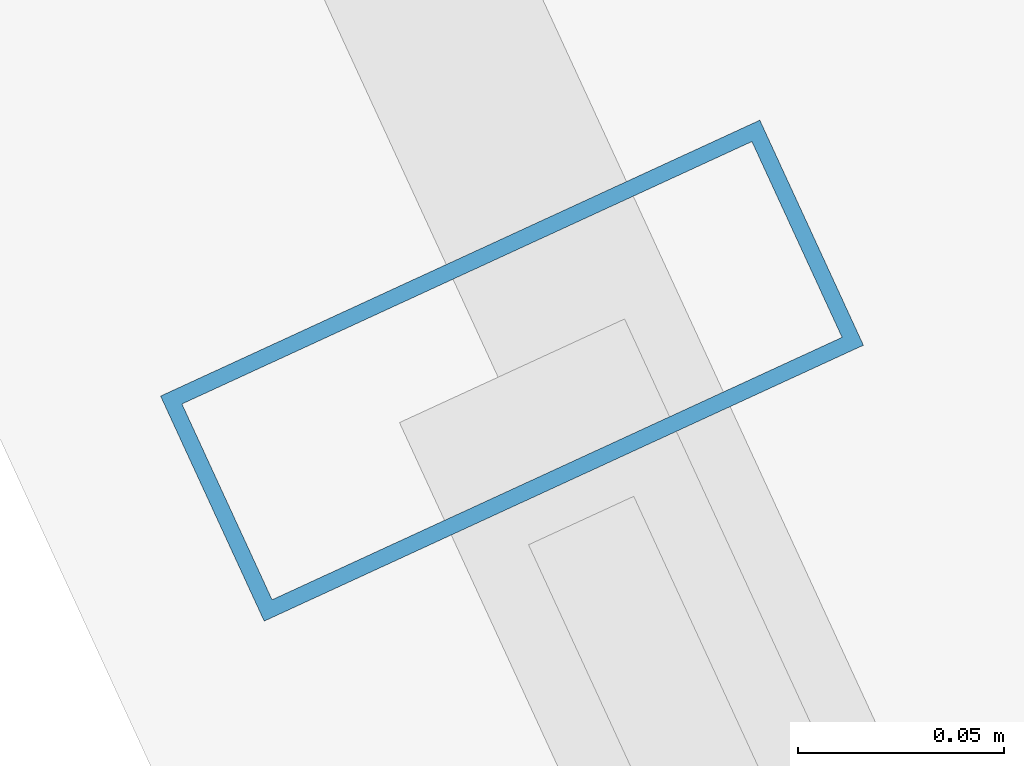
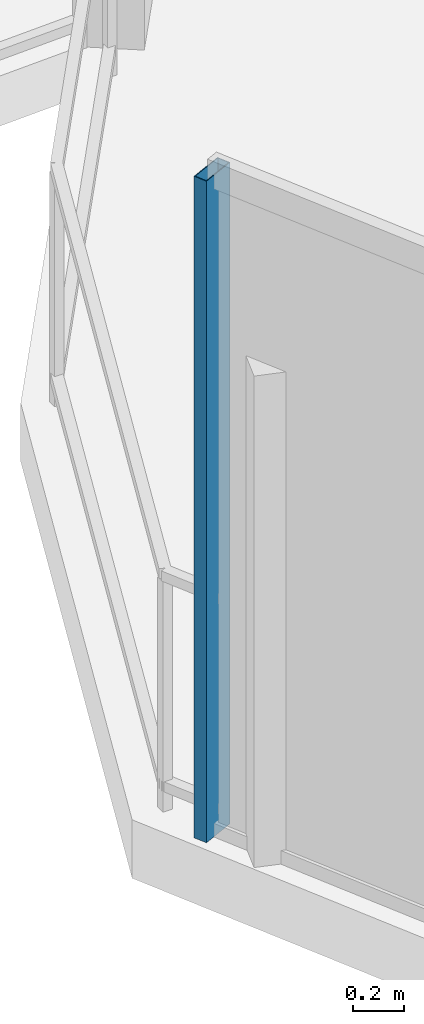
# One storey, part 16 of 30: 1 member, 1 element without a shape of its own.
"""IFC4 building model written with IfcOpenShell, lengths in metres."""

from ifc_helpers import new_model, si_unit, direction, frame, origin, origin_2d, place, context, subcontext, project, spatial, hollow_rectangle, extrude, material, layer, layer_set, material_profile, profile_set, type_object, element, aggregate, save


model = new_model("IFC4")

# Units and contexts
model_context = context("Model", 3, precision=1e-05, world=origin(), true_north=direction((0.0, 1.0)))
body_context = subcontext(model_context, "Body", "Model", "MODEL_VIEW")
ifc_project = project(units=[si_unit("LENGTHUNIT", "METRE"), si_unit("AREAUNIT", "SQUARE_METRE"), si_unit("VOLUMEUNIT", "CUBIC_METRE"), si_unit("PLANEANGLEUNIT", "RADIAN"), si_unit("MASSUNIT", "GRAM", prefix="KILO")], contexts=[model_context])

# Site, building, storey
site_placement = place(None, origin())
site = spatial("IfcSite", under=ifc_project, at=site_placement, CompositionType="ELEMENT")
building_placement = place(site_placement, origin())
building = spatial("IfcBuilding", under=site, at=building_placement, Name="Qarnah Convention Tower", CompositionType="ELEMENT")
storey_placement = place(building_placement, frame((0.0, 0.0, 47.699951171875)))
storey = spatial("IfcBuildingStorey", under=building, at=storey_placement, Name="L11", CompositionType="ELEMENT", Elevation=47.699951171875)

# Curtain wall, member
ifc_material_1 = material(Name="Tempered Low-E dark glass", Category="glass")
ifc_layer = layer(ifc_material_1, 0.16796875)
ifc_layer_set = layer_set([ifc_layer], Name="Tempered Low-E dark glass")
curtain_wall_type = type_object("IfcCurtainWallType", Name="CWS-01", PredefinedType="NOTDEFINED", material=ifc_layer_set)
curtain_wall_placement = place(storey_placement, origin())
curtain_wall = element("IfcCurtainWall", 1, at=curtain_wall_placement, inside=storey, type_object=curtain_wall_type, Name="L11 unitised curtain wall CW-L11-F1", PredefinedType="NOTDEFINED")
ifc_material_2 = material(Name="Black anodised aluminium", Category="aluminium")
ifc_material_profile = material_profile(ifc_material_2, hollow_rectangle(XDim=0.06005859375, YDim=0.159912109375, WallThickness=0.00390625, at=origin_2d()), Name="MUL-60X160")
ifc_profile_set = profile_set([ifc_material_profile], Name="Black anodised aluminium")
member_type = type_object("IfcMemberType", Name="MUL-T1", PredefinedType="MULLION", material=ifc_profile_set)
member_placement = place(storey_placement, frame((13.81396484375, 34.01611328125, 0.0), z_axis=(0.0, 0.0, 1.0), x_axis=(-0.418208766781, 0.908350938453, 0.0)))
member = element("IfcMember", 2, at=member_placement, type_object=member_type, Name="CW-L11-F1 mullion 6", PredefinedType="MULLION", context=body_context, shape_type="SweptSolid", body=[
    extrude(hollow_rectangle(XDim=0.06005859375, YDim=0.159912109375, WallThickness=0.00390625, at=origin_2d()), origin(), (0.0, 0.0, 1.0), 3.170166015625),
])
aggregate(curtain_wall, [member])

save(model, "model.ifc")
